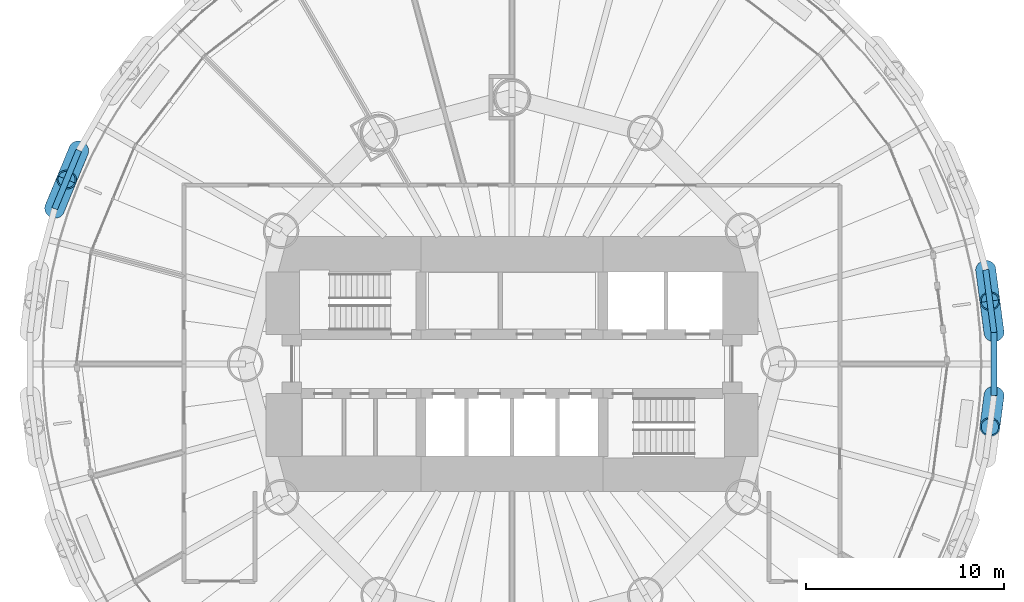
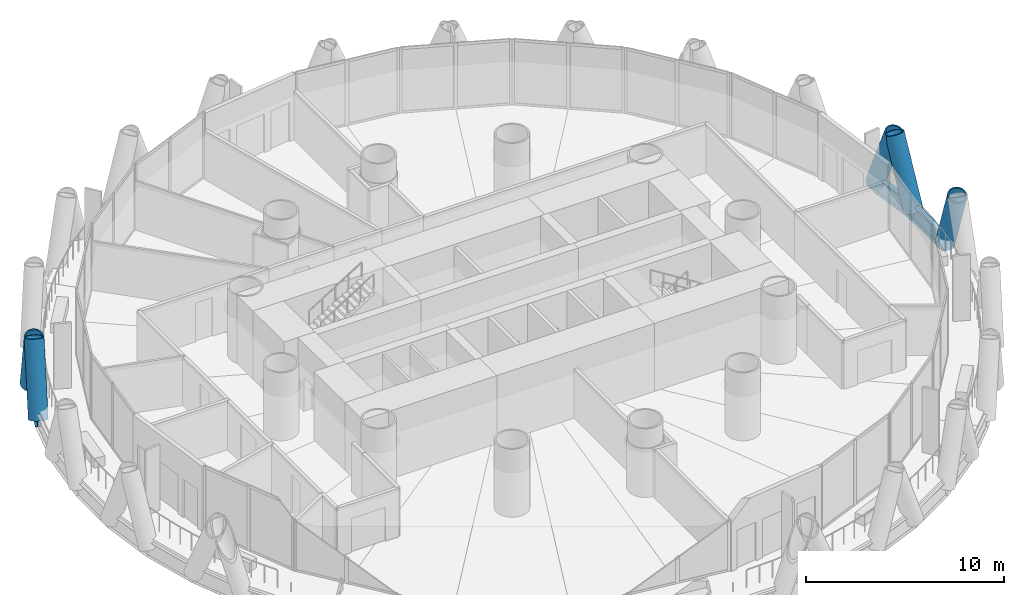
# One storey, part 5 of 16: 5 members, 3 beams.
"""IFC4 building model written with IfcOpenShell, lengths in metres."""

from ifc_helpers import new_model, si_unit, direction, frame, origin, origin_2d, place, context, subcontext, project, spatial, hollow_circle, i_section, extrude, material, material_profile, profile_set, type_object, element, save


model = new_model("IFC4")

# Units and contexts
model_context = context("Model", 3, precision=1e-05, world=origin(), true_north=direction((0.0, 1.0)))
body_context = subcontext(model_context, "Body", "Model", "MODEL_VIEW")
ifc_project = project(units=[si_unit("LENGTHUNIT", "METRE"), si_unit("AREAUNIT", "SQUARE_METRE"), si_unit("VOLUMEUNIT", "CUBIC_METRE"), si_unit("PLANEANGLEUNIT", "RADIAN"), si_unit("MASSUNIT", "GRAM", prefix="KILO")], contexts=[model_context])

# Site, building, storey
site_placement = place(None, origin())
site = spatial("IfcSite", under=ifc_project, at=site_placement, CompositionType="ELEMENT")
building_placement = place(site_placement, origin())
building = spatial("IfcBuilding", under=site, at=building_placement, Name="Qaws Media Tower", CompositionType="ELEMENT")
storey_placement = place(building_placement, frame((0.0, 0.0, 181.39990234375)))
storey = spatial("IfcBuildingStorey", under=building, at=storey_placement, Name="L41", CompositionType="ELEMENT", Elevation=181.39990234375)

# Members
ifc_material_1 = material(Name="Steel S460", Category="steel")
ifc_material_profile_1 = material_profile(ifc_material_1, hollow_circle(Radius=0.508056640625, WallThickness=0.070068359375, at=origin_2d()), Name="CHS 1016x70")
ifc_profile_set_1 = profile_set([ifc_material_profile_1], Name="Steel S460")
member_type = type_object("IfcMemberType", Name="Diagrid member CHS 1016x70", PredefinedType="USERDEFINED", material=ifc_profile_set_1)
for number, where, z_axis, x_axis, name in (
    (1, (84.397705078125, 51.59912109375, -0.663818359375), (-0.048427629009, 0.371793676608, 0.927051361459), (-0.991623381894, -0.129162953207, 0.0), "DG3 diagrid L41 A01"),
    (2, (84.397705078125, 48.40087890625, -0.663818359375), (-0.048427629009, -0.371793676608, 0.927051361459), (0.991623381894, -0.129162953207, 0.0), "DG3 diagrid L41 B01"),
):
    element("IfcMember", number, at=place(storey_placement, frame(where, z_axis=z_axis, x_axis=x_axis)), inside=storey, type_object=member_type, Name=name, ObjectType="DIAGRID", PredefinedType="USERDEFINED", context=body_context, shape_type="SweptSolid", body=[
        extrude(hollow_circle(Radius=0.508056640625, WallThickness=0.070068359375, at=origin_2d()), origin(), (0.0, 0.0, 1.0), 4.264892578125),
    ])
for number, where, z_axis, x_axis, name in (
    (3, (83.980224609375, 54.77001953125, -0.663818359375), (0.049457614825, -0.371676265111, 0.927044064912), (0.991262533176, 0.131903716104, 0.0), "DG3 diagrid L41 B02"),
    (4, (38.071533203125, 60.81396484375, -0.663818359375), (-0.144021694718, -0.346201593662, 0.927039485673), (0.923293573084, -0.384095011554, 0.0), "DG3 diagrid L41 A11"),
):
    element("IfcMember", number, at=place(storey_placement, frame(where, z_axis=z_axis, x_axis=x_axis)), inside=storey, type_object=member_type, Name=name, ObjectType="DIAGRID", PredefinedType="USERDEFINED", context=body_context, shape_type="SweptSolid", body=[
        extrude(hollow_circle(Radius=0.508056640625, WallThickness=0.070068359375, at=origin_2d()), origin(), (0.0, 0.0, 1.0), 4.26513671875),
    ])
member_placement = place(storey_placement, frame((36.84765625, 57.859130859375, -0.663818359375), z_axis=(0.142936555494, 0.346608267327, 0.927055473057), x_axis=(-0.924475599504, 0.3812412175, 0.0)))
element("IfcMember", 5, at=member_placement, inside=storey, type_object=member_type, Name="DG3 diagrid L41 B12", ObjectType="DIAGRID", PredefinedType="USERDEFINED", context=body_context, shape_type="SweptSolid", body=[
    extrude(hollow_circle(Radius=0.508056640625, WallThickness=0.070068359375, at=origin_2d()), origin(), (0.0, 0.0, 1.0), 4.264892578125),
])

# Beams
ifc_material_2 = material(Name="Steel S460", Category="steel")
ifc_material_profile_2 = material_profile(ifc_material_2, i_section(OverallWidth=0.302001953125, OverallDepth=1.008056640625, WebThickness=0.02099609375, FlangeThickness=0.0400390625, FilletRadius=0.030029296875, at=origin_2d()), Name="HE 1000 M")
ifc_profile_set_2 = profile_set([ifc_material_profile_2], Name="Steel S460")
beam_type = type_object("IfcBeamType", Name="Edge ring beam HE 1000 M", PredefinedType="BEAM", material=ifc_profile_set_2)
for number, where, z_axis, x_axis, name in (
    (6, (84.397705078125, 51.59912109375, -0.663818359375), (-0.130533497709, 0.991443899561, 0.0), (-0.991443899561, -0.130533497709, 0.0), "RB3 edge ring beam L41-01"),
    (7, (38.071533203125, 60.81396484375, -0.663818359375), (-0.382668658443, -0.923885651932, 0.0), (0.923885651932, -0.382668658443, 0.0), "RB3 edge ring beam L41-21"),
    (8, (84.397705078125, 48.40087890625, -0.663818359375), (0.0, 1.0, 0.0), (-1.0, 0.0, 0.0), "RB3 edge ring beam L41-48"),
):
    element("IfcBeam", number, at=place(storey_placement, frame(where, z_axis=z_axis, x_axis=x_axis)), inside=storey, type_object=beam_type, Name=name, PredefinedType="BEAM", context=body_context, shape_type="SweptSolid", body=[
        extrude(i_section(OverallWidth=0.302001953125, OverallDepth=1.008056640625, WebThickness=0.02099609375, FlangeThickness=0.0400390625, FilletRadius=0.030029296875, at=origin_2d()), origin(), (0.0, 0.0, 1.0), 3.1982421875),
    ])

save(model, "model.ifc")
